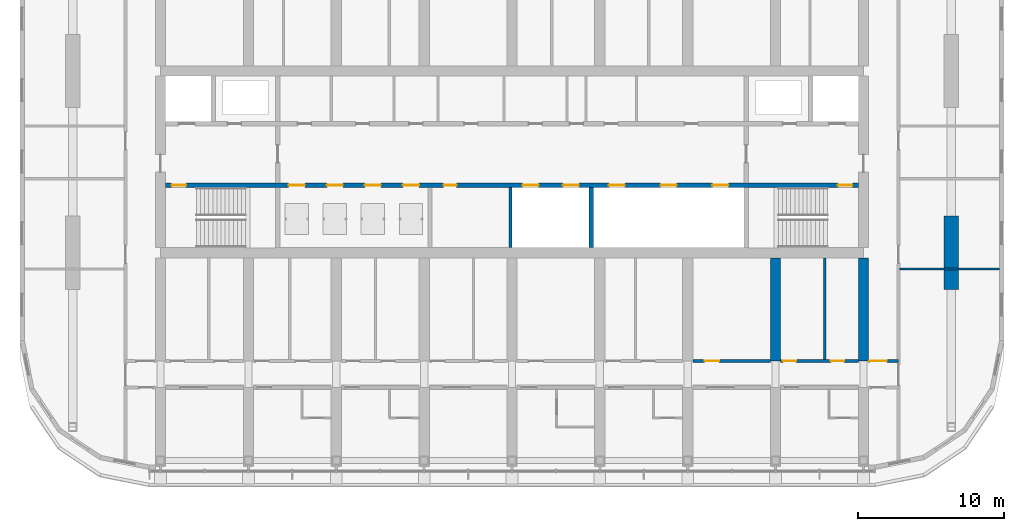
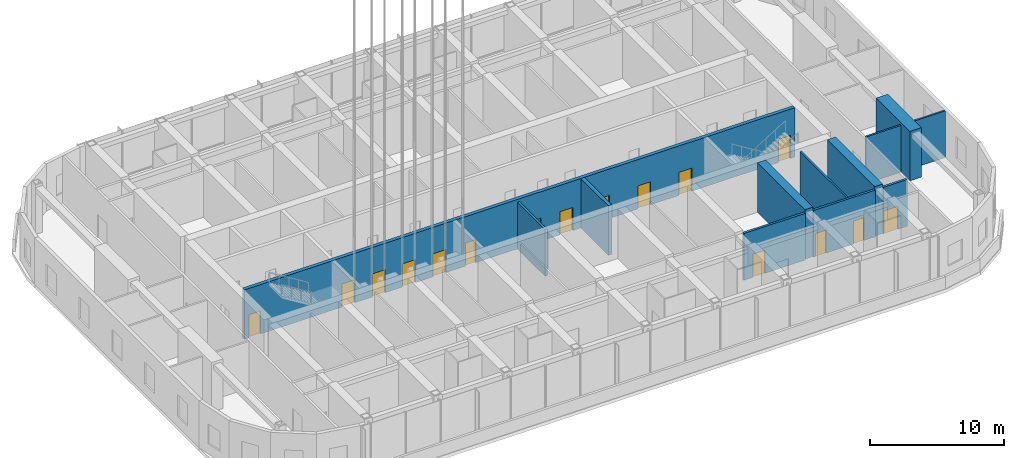
# One storey, part 17 of 35: 16 doors, 11 walls, 16 openings.
"""IFC4 building model written with IfcOpenShell, lengths in metres."""

from ifc_helpers import new_model, si_unit, direction, frame, frame_2d, origin, place, context, subcontext, project, spatial, rectangle, extrude, material, layer, layer_set, type_object, element, fill, save


model = new_model("IFC4")

# Units and contexts
model_context = context("Model", 3, precision=1e-05, world=origin(), true_north=direction((0.0, 1.0)))
body_context = subcontext(model_context, "Body", "Model", "MODEL_VIEW")
ifc_project = project(units=[si_unit("LENGTHUNIT", "METRE"), si_unit("AREAUNIT", "SQUARE_METRE"), si_unit("VOLUMEUNIT", "CUBIC_METRE"), si_unit("PLANEANGLEUNIT", "RADIAN"), si_unit("MASSUNIT", "GRAM", prefix="KILO")], contexts=[model_context])

# Site, building, storey
site_placement = place(None, origin())
site = spatial("IfcSite", under=ifc_project, at=site_placement, CompositionType="ELEMENT")
building_placement = place(site_placement, origin())
building = spatial("IfcBuilding", under=site, at=building_placement, Name="Orbita Commons", CompositionType="ELEMENT")
storey_placement = place(building_placement, frame((0.0, 0.0, 208.300048828125)))
storey = spatial("IfcBuildingStorey", under=building, at=storey_placement, Name="L51", CompositionType="ELEMENT", Elevation=208.300048828125)

# Wall, openings, doors
ifc_material_1 = material(Name="Concrete C50/60", Category="concrete")
ifc_layer_1 = layer(ifc_material_1, 0.300048828125)
ifc_layer_set_1 = layer_set([ifc_layer_1], Name="Concrete C50/60")
wall_type_1 = type_object("IfcWallType", Name="Core inner wall 300 C50/60", PredefinedType="SHEAR", material=ifc_layer_set_1)
wall_1_placement = place(storey_placement, frame((18.35009765625, 30.39990234375, 0.0), z_axis=(0.0, 0.0, 1.0), x_axis=(1.0, 0.0, 0.0)))
wall_1 = element("IfcWall", 1, at=wall_1_placement, inside=storey, type_object=wall_type_1, Name="Lobby wall south L51", PredefinedType="SHEAR", context=body_context, shape_type="SweptSolid", body=[
    extrude(rectangle(XDim=47.2998046875, YDim=0.300048828125, at=frame_2d((23.64990234375, 0.0))), origin(), (0.0, 0.0, 1.0), 4.5),
])
opening_1_placement = place(wall_1_placement, frame((0.39990234375, 0.0, 0.0)))
opening_1 = element("IfcOpeningElement", 2, at=opening_1_placement, cuts=wall_1, Name="Opening D02", PredefinedType="OPENING", context=body_context, shape_type="SweptSolid", body=[
    extrude(rectangle(XDim=1.0, YDim=2.10009765625, at=frame_2d((0.5, 1.050048828125))), frame((0.0, 0.159912109375, 0.0), z_axis=(0.0, -1.0, 0.0), x_axis=(1.0, 0.0, 0.0)), (0.0, 0.0, 1.0), 0.320068359375),
])
opening_2_placement = place(wall_1_placement, frame((45.89990234375, 0.0, 0.0)))
opening_2 = element("IfcOpeningElement", 3, at=opening_2_placement, cuts=wall_1, Name="Opening D02", PredefinedType="OPENING", context=body_context, shape_type="SweptSolid", body=[
    extrude(rectangle(XDim=1.0, YDim=2.10009765625, at=frame_2d((0.5, 1.050048828125))), frame((0.0, 0.159912109375, 0.0), z_axis=(0.0, -1.0, 0.0), x_axis=(1.0, 0.0, 0.0)), (0.0, 0.0, 1.0), 0.320068359375),
])
opening_3_placement = place(wall_1_placement, frame((8.39990234375, 0.0, 0.0)))
opening_3 = element("IfcOpeningElement", 4, at=opening_3_placement, cuts=wall_1, Name="Opening LD02", PredefinedType="OPENING", context=body_context, shape_type="SweptSolid", body=[
    extrude(rectangle(XDim=1.10009765625, YDim=2.10009765625, at=frame_2d((0.550048828125, 1.050048828125))), frame((0.0, 0.159912109375, 0.0), z_axis=(0.0, -1.0, 0.0), x_axis=(1.0, 0.0, 0.0)), (0.0, 0.0, 1.0), 0.320068359375),
])
opening_4_placement = place(wall_1_placement, frame((11.0, 0.0, 0.0)))
opening_4 = element("IfcOpeningElement", 5, at=opening_4_placement, cuts=wall_1, Name="Opening LD02", PredefinedType="OPENING", context=body_context, shape_type="SweptSolid", body=[
    extrude(rectangle(XDim=1.10009765625, YDim=2.10009765625, at=frame_2d((0.550048828125, 1.050048828125))), frame((0.0, 0.159912109375, 0.0), z_axis=(0.0, -1.0, 0.0), x_axis=(1.0, 0.0, 0.0)), (0.0, 0.0, 1.0), 0.320068359375),
])
opening_5_placement = place(wall_1_placement, frame((13.60009765625, 0.0, 0.0)))
opening_5 = element("IfcOpeningElement", 6, at=opening_5_placement, cuts=wall_1, Name="Opening LD02", PredefinedType="OPENING", context=body_context, shape_type="SweptSolid", body=[
    extrude(rectangle(XDim=1.10009765625, YDim=2.10009765625, at=frame_2d((0.550048828125, 1.050048828125))), frame((0.0, 0.159912109375, 0.0), z_axis=(0.0, -1.0, 0.0), x_axis=(1.0, 0.0, 0.0)), (0.0, 0.0, 1.0), 0.320068359375),
])
opening_6_placement = place(wall_1_placement, frame((16.199951171875, 0.0, 0.0)))
opening_6 = element("IfcOpeningElement", 7, at=opening_6_placement, cuts=wall_1, Name="Opening LD02", PredefinedType="OPENING", context=body_context, shape_type="SweptSolid", body=[
    extrude(rectangle(XDim=1.10009765625, YDim=2.10009765625, at=frame_2d((0.550048828125, 1.050048828125))), frame((0.0, 0.159912109375, 0.0), z_axis=(0.0, -1.0, 0.0), x_axis=(1.0, 0.0, 0.0)), (0.0, 0.0, 1.0), 0.320068359375),
])
opening_7_placement = place(wall_1_placement, frame((18.97509765625, 0.0, 0.0)))
opening_7 = element("IfcOpeningElement", 8, at=opening_7_placement, cuts=wall_1, Name="Opening D05", PredefinedType="OPENING", context=body_context, shape_type="SweptSolid", body=[
    extrude(rectangle(XDim=0.89990234375, YDim=2.10009765625, at=frame_2d((0.449951171875, 1.050048828125))), frame((0.0, 0.159912109375, 0.0), z_axis=(0.0, -1.0, 0.0), x_axis=(1.0, 0.0, 0.0)), (0.0, 0.0, 1.0), 0.320068359375),
])
opening_8_placement = place(wall_1_placement, frame((24.375, 0.0, 0.0)))
opening_8 = element("IfcOpeningElement", 9, at=opening_8_placement, cuts=wall_1, Name="Opening LD02", PredefinedType="OPENING", context=body_context, shape_type="SweptSolid", body=[
    extrude(rectangle(XDim=1.10009765625, YDim=2.10009765625, at=frame_2d((0.550048828125, 1.050048828125))), frame((0.0, 0.159912109375, 0.0), z_axis=(0.0, -1.0, 0.0), x_axis=(1.0, 0.0, 0.0)), (0.0, 0.0, 1.0), 0.320068359375),
])
opening_9_placement = place(wall_1_placement, frame((27.125, 0.0, 0.0)))
opening_9 = element("IfcOpeningElement", 10, at=opening_9_placement, cuts=wall_1, Name="Opening LD02", PredefinedType="OPENING", context=body_context, shape_type="SweptSolid", body=[
    extrude(rectangle(XDim=1.10009765625, YDim=2.10009765625, at=frame_2d((0.550048828125, 1.050048828125))), frame((0.0, 0.159912109375, 0.0), z_axis=(0.0, -1.0, 0.0), x_axis=(1.0, 0.0, 0.0)), (0.0, 0.0, 1.0), 0.320068359375),
])
opening_10_placement = place(wall_1_placement, frame((30.2666015625, 0.0, 0.0)))
opening_10 = element("IfcOpeningElement", 11, at=opening_10_placement, cuts=wall_1, Name="Opening LD02", PredefinedType="OPENING", context=body_context, shape_type="SweptSolid", body=[
    extrude(rectangle(XDim=1.10009765625, YDim=2.10009765625, at=frame_2d((0.550048828125, 1.050048828125))), frame((0.0, 0.159912109375, 0.0), z_axis=(0.0, -1.0, 0.0), x_axis=(1.0, 0.0, 0.0)), (0.0, 0.0, 1.0), 0.320068359375),
])
opening_11_placement = place(wall_1_placement, frame((33.800048828125, 0.0, 0.0)))
opening_11 = element("IfcOpeningElement", 12, at=opening_11_placement, cuts=wall_1, Name="Opening LD02", PredefinedType="OPENING", context=body_context, shape_type="SweptSolid", body=[
    extrude(rectangle(XDim=1.10009765625, YDim=2.10009765625, at=frame_2d((0.550048828125, 1.050048828125))), frame((0.0, 0.159912109375, 0.0), z_axis=(0.0, -1.0, 0.0), x_axis=(1.0, 0.0, 0.0)), (0.0, 0.0, 1.0), 0.320068359375),
])
opening_12_placement = place(wall_1_placement, frame((37.333251953125, 0.0, 0.0)))
opening_12 = element("IfcOpeningElement", 13, at=opening_12_placement, cuts=wall_1, Name="Opening LD02", PredefinedType="OPENING", context=body_context, shape_type="SweptSolid", body=[
    extrude(rectangle(XDim=1.10009765625, YDim=2.10009765625, at=frame_2d((0.550048828125, 1.050048828125))), frame((0.0, 0.159912109375, 0.0), z_axis=(0.0, -1.0, 0.0), x_axis=(1.0, 0.0, 0.0)), (0.0, 0.0, 1.0), 0.320068359375),
])
ifc_material_2 = material(Name="Steel-faced fire door leaf", Category="steel")
door_type_1 = type_object("IfcDoorType", Name="Fire door 90 min 1000x2100", OperationType="SINGLE_SWING_LEFT", PredefinedType="DOOR", material=ifc_material_2)
door_1_placement = place(opening_1_placement, origin())
door_1 = element("IfcDoor", 14, at=door_1_placement, inside=storey, type_object=door_type_1, Name="Stair S1 door", OperationType="SINGLE_SWING_LEFT", OverallHeight=2.10009765625, OverallWidth=1.0, PredefinedType="DOOR", context=body_context, shape_type="SweptSolid", body=[
    extrude(rectangle(XDim=1.0, YDim=2.10009765625, at=frame_2d((0.5, 1.050048828125))), frame((0.0, 0.02490234375, 0.0), z_axis=(0.0, -1.0, 0.0), x_axis=(1.0, 0.0, 0.0)), (0.0, 0.0, 1.0), 0.050048828125),
])
fill(opening_1, door_1)
door_2_placement = place(opening_2_placement, origin())
door_2 = element("IfcDoor", 15, at=door_2_placement, inside=storey, type_object=door_type_1, Name="Stair S2 door", OperationType="SINGLE_SWING_LEFT", OverallHeight=2.10009765625, OverallWidth=1.0, PredefinedType="DOOR", context=body_context, shape_type="SweptSolid", body=[
    extrude(rectangle(XDim=1.0, YDim=2.10009765625, at=frame_2d((0.5, 1.050048828125))), frame((0.0, 0.02490234375, 0.0), z_axis=(0.0, -1.0, 0.0), x_axis=(1.0, 0.0, 0.0)), (0.0, 0.0, 1.0), 0.050048828125),
])
fill(opening_2, door_2)
ifc_material_3 = material(Name="Steel-faced fire door leaf", Category="steel")
door_type_2 = type_object("IfcDoorType", Name="Lift landing door 1100x2100", OperationType="DOUBLE_DOOR_SLIDING", PredefinedType="DOOR", material=ifc_material_3)
door_3_placement = place(opening_3_placement, origin())
door_3 = element("IfcDoor", 16, at=door_3_placement, inside=storey, type_object=door_type_2, Name="Lift P41 landing door", OperationType="DOUBLE_DOOR_SLIDING", OverallHeight=2.10009765625, OverallWidth=1.10009765625, PredefinedType="DOOR", context=body_context, shape_type="SweptSolid", body=[
    extrude(rectangle(XDim=1.10009765625, YDim=2.10009765625, at=frame_2d((0.550048828125, 1.050048828125))), frame((0.0, 0.02490234375, 0.0), z_axis=(0.0, -1.0, 0.0), x_axis=(1.0, 0.0, 0.0)), (0.0, 0.0, 1.0), 0.050048828125),
])
fill(opening_3, door_3)
door_4_placement = place(opening_4_placement, origin())
door_4 = element("IfcDoor", 17, at=door_4_placement, inside=storey, type_object=door_type_2, Name="Lift P42 landing door", OperationType="DOUBLE_DOOR_SLIDING", OverallHeight=2.10009765625, OverallWidth=1.10009765625, PredefinedType="DOOR", context=body_context, shape_type="SweptSolid", body=[
    extrude(rectangle(XDim=1.10009765625, YDim=2.10009765625, at=frame_2d((0.550048828125, 1.050048828125))), frame((0.0, 0.02490234375, 0.0), z_axis=(0.0, -1.0, 0.0), x_axis=(1.0, 0.0, 0.0)), (0.0, 0.0, 1.0), 0.050048828125),
])
fill(opening_4, door_4)
door_5_placement = place(opening_5_placement, origin())
door_5 = element("IfcDoor", 18, at=door_5_placement, inside=storey, type_object=door_type_2, Name="Lift P43 landing door", OperationType="DOUBLE_DOOR_SLIDING", OverallHeight=2.10009765625, OverallWidth=1.10009765625, PredefinedType="DOOR", context=body_context, shape_type="SweptSolid", body=[
    extrude(rectangle(XDim=1.10009765625, YDim=2.10009765625, at=frame_2d((0.550048828125, 1.050048828125))), frame((0.0, 0.02490234375, 0.0), z_axis=(0.0, -1.0, 0.0), x_axis=(1.0, 0.0, 0.0)), (0.0, 0.0, 1.0), 0.050048828125),
])
fill(opening_5, door_5)
door_6_placement = place(opening_6_placement, origin())
door_6 = element("IfcDoor", 19, at=door_6_placement, inside=storey, type_object=door_type_2, Name="Lift P44 landing door", OperationType="DOUBLE_DOOR_SLIDING", OverallHeight=2.10009765625, OverallWidth=1.10009765625, PredefinedType="DOOR", context=body_context, shape_type="SweptSolid", body=[
    extrude(rectangle(XDim=1.10009765625, YDim=2.10009765625, at=frame_2d((0.550048828125, 1.050048828125))), frame((0.0, 0.02490234375, 0.0), z_axis=(0.0, -1.0, 0.0), x_axis=(1.0, 0.0, 0.0)), (0.0, 0.0, 1.0), 0.050048828125),
])
fill(opening_6, door_6)
door_7_placement = place(opening_8_placement, origin())
door_7 = element("IfcDoor", 20, at=door_7_placement, inside=storey, type_object=door_type_2, Name="Lift SH31 landing door", OperationType="DOUBLE_DOOR_SLIDING", OverallHeight=2.10009765625, OverallWidth=1.10009765625, PredefinedType="DOOR", context=body_context, shape_type="SweptSolid", body=[
    extrude(rectangle(XDim=1.10009765625, YDim=2.10009765625, at=frame_2d((0.550048828125, 1.050048828125))), frame((0.0, 0.02490234375, 0.0), z_axis=(0.0, -1.0, 0.0), x_axis=(1.0, 0.0, 0.0)), (0.0, 0.0, 1.0), 0.050048828125),
])
fill(opening_8, door_7)
door_8_placement = place(opening_9_placement, origin())
door_8 = element("IfcDoor", 21, at=door_8_placement, inside=storey, type_object=door_type_2, Name="Lift SH32 landing door", OperationType="DOUBLE_DOOR_SLIDING", OverallHeight=2.10009765625, OverallWidth=1.10009765625, PredefinedType="DOOR", context=body_context, shape_type="SweptSolid", body=[
    extrude(rectangle(XDim=1.10009765625, YDim=2.10009765625, at=frame_2d((0.550048828125, 1.050048828125))), frame((0.0, 0.02490234375, 0.0), z_axis=(0.0, -1.0, 0.0), x_axis=(1.0, 0.0, 0.0)), (0.0, 0.0, 1.0), 0.050048828125),
])
fill(opening_9, door_8)
door_9_placement = place(opening_10_placement, origin())
door_9 = element("IfcDoor", 22, at=door_9_placement, inside=storey, type_object=door_type_2, Name="Lift SV1 landing door", OperationType="DOUBLE_DOOR_SLIDING", OverallHeight=2.10009765625, OverallWidth=1.10009765625, PredefinedType="DOOR", context=body_context, shape_type="SweptSolid", body=[
    extrude(rectangle(XDim=1.10009765625, YDim=2.10009765625, at=frame_2d((0.550048828125, 1.050048828125))), frame((0.0, 0.02490234375, 0.0), z_axis=(0.0, -1.0, 0.0), x_axis=(1.0, 0.0, 0.0)), (0.0, 0.0, 1.0), 0.050048828125),
])
fill(opening_10, door_9)
door_10_placement = place(opening_11_placement, origin())
door_10 = element("IfcDoor", 23, at=door_10_placement, inside=storey, type_object=door_type_2, Name="Lift SV2 landing door", OperationType="DOUBLE_DOOR_SLIDING", OverallHeight=2.10009765625, OverallWidth=1.10009765625, PredefinedType="DOOR", context=body_context, shape_type="SweptSolid", body=[
    extrude(rectangle(XDim=1.10009765625, YDim=2.10009765625, at=frame_2d((0.550048828125, 1.050048828125))), frame((0.0, 0.02490234375, 0.0), z_axis=(0.0, -1.0, 0.0), x_axis=(1.0, 0.0, 0.0)), (0.0, 0.0, 1.0), 0.050048828125),
])
fill(opening_11, door_10)
door_11_placement = place(opening_12_placement, origin())
door_11 = element("IfcDoor", 24, at=door_11_placement, inside=storey, type_object=door_type_2, Name="Lift SV3 landing door", OperationType="DOUBLE_DOOR_SLIDING", OverallHeight=2.10009765625, OverallWidth=1.10009765625, PredefinedType="DOOR", context=body_context, shape_type="SweptSolid", body=[
    extrude(rectangle(XDim=1.10009765625, YDim=2.10009765625, at=frame_2d((0.550048828125, 1.050048828125))), frame((0.0, 0.02490234375, 0.0), z_axis=(0.0, -1.0, 0.0), x_axis=(1.0, 0.0, 0.0)), (0.0, 0.0, 1.0), 0.050048828125),
])
fill(opening_12, door_11)
ifc_material_4 = material(Name="Steel-faced fire door leaf", Category="steel")
door_type_3 = type_object("IfcDoorType", Name="Service door 20 min 900x2100", OperationType="SINGLE_SWING_LEFT", PredefinedType="DOOR", material=ifc_material_4)
door_12_placement = place(opening_7_placement, origin())
door_12 = element("IfcDoor", 25, at=door_12_placement, inside=storey, type_object=door_type_3, Name="IT room door", OperationType="SINGLE_SWING_LEFT", OverallHeight=2.10009765625, OverallWidth=0.89990234375, PredefinedType="DOOR", context=body_context, shape_type="SweptSolid", body=[
    extrude(rectangle(XDim=0.89990234375, YDim=2.10009765625, at=frame_2d((0.449951171875, 1.050048828125))), frame((0.0, 0.02490234375, 0.0), z_axis=(0.0, -1.0, 0.0), x_axis=(1.0, 0.0, 0.0)), (0.0, 0.0, 1.0), 0.050048828125),
])
fill(opening_7, door_12)

# Wall
wall_2_placement = place(storey_placement, frame((47.39990234375, 26.14990234375, 0.0), z_axis=(0.0, 0.0, 1.0), x_axis=(0.0, 1.0, 0.0)))
element("IfcWall", 26, at=wall_2_placement, inside=storey, type_object=wall_type_1, Name="Hoistway division wall L51", PredefinedType="SHEAR", context=body_context, shape_type="SweptSolid", body=[
    extrude(rectangle(XDim=4.10009765625, YDim=0.300048828125, at=frame_2d((2.050048828125, 0.0))), origin(), (0.0, 0.0, 1.0), 4.5),
])

# Wall, opening, door
ifc_material_5 = material(Name="Hollow concrete block 200", Category="concrete")
ifc_layer_2 = layer(ifc_material_5, 0.199951171875)
ifc_layer_set_2 = layer_set([ifc_layer_2], Name="Hollow concrete block 200")
wall_type_2 = type_object("IfcWallType", Name="Corridor wall 200 hollow concrete block", PredefinedType="SOLIDWALL", material=ifc_layer_set_2)
wall_3_placement = place(storey_placement, frame((54.35009765625, 18.39990234375, 0.0), z_axis=(0.0, 0.0, 1.0), x_axis=(1.0, 0.0, 0.0)))
wall_3 = element("IfcWall", 27, at=wall_3_placement, inside=storey, type_object=wall_type_2, Name="Corridor wall 200 hollow concrete block L51", PredefinedType="SOLIDWALL", context=body_context, shape_type="SweptSolid", body=[
    extrude(rectangle(XDim=5.2998046875, YDim=0.199951171875, at=frame_2d((2.64990234375, 0.0))), origin(), (0.0, 0.0, 1.0), 4.25),
])
opening_13_placement = place(wall_3_placement, frame((0.800048828125, 0.0, 0.0)))
opening_13 = element("IfcOpeningElement", 28, at=opening_13_placement, cuts=wall_3, Name="Opening D06", PredefinedType="OPENING", context=body_context, shape_type="SweptSolid", body=[
    extrude(rectangle(XDim=1.0, YDim=2.10009765625, at=frame_2d((0.5, 1.050048828125))), frame((0.0, 0.10986328125, 0.0), z_axis=(0.0, -1.0, 0.0), x_axis=(1.0, 0.0, 0.0)), (0.0, 0.0, 1.0), 0.219970703125),
])
ifc_material_6 = material(Name="Steel-faced fire door leaf", Category="steel")
door_type_4 = type_object("IfcDoorType", Name="Corridor door 20 min 1000x2100", OperationType="SINGLE_SWING_LEFT", PredefinedType="DOOR", material=ifc_material_6)
door_13_placement = place(opening_13_placement, origin())
door_13 = element("IfcDoor", 29, at=door_13_placement, inside=storey, type_object=door_type_4, Name="Faculty pantry L51-BDS54 door", OperationType="SINGLE_SWING_LEFT", OverallHeight=2.10009765625, OverallWidth=1.0, PredefinedType="DOOR", context=body_context, shape_type="SweptSolid", body=[
    extrude(rectangle(XDim=1.0, YDim=2.10009765625, at=frame_2d((0.5, 1.050048828125))), frame((0.0, 0.02490234375, 0.0), z_axis=(0.0, -1.0, 0.0), x_axis=(1.0, 0.0, 0.0)), (0.0, 0.0, 1.0), 0.050048828125),
])
fill(opening_13, door_13)

# Wall, openings, doors
wall_4_placement = place(storey_placement, frame((60.35009765625, 18.39990234375, 0.0), z_axis=(0.0, 0.0, 1.0), x_axis=(1.0, 0.0, 0.0)))
wall_4 = element("IfcWall", 30, at=wall_4_placement, inside=storey, type_object=wall_type_2, Name="Corridor wall 200 hollow concrete block L51", PredefinedType="SOLIDWALL", context=body_context, shape_type="SweptSolid", body=[
    extrude(rectangle(XDim=5.2998046875, YDim=0.199951171875, at=frame_2d((2.64990234375, 0.0))), origin(), (0.0, 0.0, 1.0), 4.25),
])
opening_14_placement = place(wall_4_placement, frame((0.14990234375, 0.0, 0.0)))
opening_14 = element("IfcOpeningElement", 31, at=opening_14_placement, cuts=wall_4, Name="Opening D11", PredefinedType="OPENING", context=body_context, shape_type="SweptSolid", body=[
    extrude(rectangle(XDim=0.89990234375, YDim=2.10009765625, at=frame_2d((0.449951171875, 1.050048828125))), frame((0.0, 0.10986328125, 0.0), z_axis=(0.0, -1.0, 0.0), x_axis=(1.0, 0.0, 0.0)), (0.0, 0.0, 1.0), 0.219970703125),
])
opening_15_placement = place(wall_4_placement, frame((3.43505859375, 0.0, 0.0)))
opening_15 = element("IfcOpeningElement", 32, at=opening_15_placement, cuts=wall_4, Name="Opening D11", PredefinedType="OPENING", context=body_context, shape_type="SweptSolid", body=[
    extrude(rectangle(XDim=0.89990234375, YDim=2.10009765625, at=frame_2d((0.449951171875, 1.050048828125))), frame((0.0, 0.10986328125, 0.0), z_axis=(0.0, -1.0, 0.0), x_axis=(1.0, 0.0, 0.0)), (0.0, 0.0, 1.0), 0.219970703125),
])
ifc_material_7 = material(Name="Steel-faced fire door leaf", Category="steel")
door_type_5 = type_object("IfcDoorType", Name="Corridor door 20 min 900x2100", OperationType="SINGLE_SWING_LEFT", PredefinedType="DOOR", material=ifc_material_7)
door_14_placement = place(opening_14_placement, origin())
door_14 = element("IfcDoor", 33, at=door_14_placement, inside=storey, type_object=door_type_5, Name="Print room L51-BDS60 door", OperationType="SINGLE_SWING_LEFT", OverallHeight=2.10009765625, OverallWidth=0.89990234375, PredefinedType="DOOR", context=body_context, shape_type="SweptSolid", body=[
    extrude(rectangle(XDim=0.89990234375, YDim=2.10009765625, at=frame_2d((0.449951171875, 1.050048828125))), frame((0.0, 0.02490234375, 0.0), z_axis=(0.0, -1.0, 0.0), x_axis=(1.0, 0.0, 0.0)), (0.0, 0.0, 1.0), 0.050048828125),
])
fill(opening_14, door_14)
door_15_placement = place(opening_15_placement, origin())
door_15 = element("IfcDoor", 34, at=door_15_placement, inside=storey, type_object=door_type_5, Name="Battery and UPS room L51-BDS60n door", OperationType="SINGLE_SWING_LEFT", OverallHeight=2.10009765625, OverallWidth=0.89990234375, PredefinedType="DOOR", context=body_context, shape_type="SweptSolid", body=[
    extrude(rectangle(XDim=0.89990234375, YDim=2.10009765625, at=frame_2d((0.449951171875, 1.050048828125))), frame((0.0, 0.02490234375, 0.0), z_axis=(0.0, -1.0, 0.0), x_axis=(1.0, 0.0, 0.0)), (0.0, 0.0, 1.0), 0.050048828125),
])
fill(opening_15, door_15)

# Wall, opening, door
wall_5_placement = place(storey_placement, frame((66.35009765625, 18.39990234375, 0.0), z_axis=(0.0, 0.0, 1.0), x_axis=(1.0, 0.0, 0.0)))
wall_5 = element("IfcWall", 35, at=wall_5_placement, inside=storey, type_object=wall_type_2, Name="Corridor wall 200 hollow concrete block L51", PredefinedType="SOLIDWALL", context=body_context, shape_type="SweptSolid", body=[
    extrude(rectangle(XDim=2.0498046875, YDim=0.199951171875, at=frame_2d((1.02490234375, 0.0))), origin(), (0.0, 0.0, 1.0), 4.25),
])
opening_16_placement = place(wall_5_placement, frame((0.050048828125, 0.0, 0.0)))
opening_16 = element("IfcOpeningElement", 36, at=opening_16_placement, cuts=wall_5, Name="Opening D12", PredefinedType="OPENING", context=body_context, shape_type="SweptSolid", body=[
    extrude(rectangle(XDim=1.199951171875, YDim=2.10009765625, at=frame_2d((0.60009765625, 1.050048828125))), frame((0.0, 0.10986328125, 0.0), z_axis=(0.0, -1.0, 0.0), x_axis=(1.0, 0.0, 0.0)), (0.0, 0.0, 1.0), 0.219970703125),
])
ifc_material_8 = material(Name="Steel-faced fire door leaf", Category="steel")
door_type_6 = type_object("IfcDoorType", Name="Double corridor door 20 min 1200x2100", OperationType="DOUBLE_DOOR_SINGLE_SWING", PredefinedType="DOOR", material=ifc_material_8)
door_16_placement = place(opening_16_placement, origin())
door_16 = element("IfcDoor", 37, at=door_16_placement, inside=storey, type_object=door_type_6, Name="Cross corridor doors", OperationType="DOUBLE_DOOR_SINGLE_SWING", OverallHeight=2.10009765625, OverallWidth=1.199951171875, PredefinedType="DOOR", context=body_context, shape_type="SweptSolid", body=[
    extrude(rectangle(XDim=1.199951171875, YDim=2.10009765625, at=frame_2d((0.60009765625, 1.050048828125))), frame((0.0, 0.02490234375, 0.0), z_axis=(0.0, -1.0, 0.0), x_axis=(1.0, 0.0, 0.0)), (0.0, 0.0, 1.0), 0.050048828125),
])
fill(opening_16, door_16)

# Walls
ifc_material_9 = material(Name="Concrete C50/60", Category="concrete")
ifc_layer_3 = layer(ifc_material_9, 0.699951171875)
ifc_layer_set_3 = layer_set([ifc_layer_3], Name="Concrete C50/60")
wall_type_3 = type_object("IfcWallType", Name="Cross wall 700 C50/60", PredefinedType="SHEAR", material=ifc_layer_set_3)
for number, where, z_axis, x_axis, name in (
    (38, (60.0, 18.39990234375, 0.0), (0.0, 0.0, 1.0), (0.0, 1.0, 0.0), "Cross wall 11 south inner L51"),
    (39, (66.0, 18.39990234375, 0.0), (0.0, 0.0, 1.0), (0.0, 1.0, 0.0), "Cross wall 12 south inner L51"),
):
    element("IfcWall", number, at=place(storey_placement, frame(where, z_axis=z_axis, x_axis=x_axis)), inside=storey, type_object=wall_type_3, Name=name, PredefinedType="SHEAR", context=body_context, shape_type="SweptSolid", body=[
        extrude(rectangle(XDim=7.050048828125, YDim=0.699951171875, at=frame_2d((3.52490234375, 0.0))), origin(), (0.0, 0.0, 1.0), 4.5),
    ])
ifc_material_10 = material(Name="Concrete C50/60", Category="concrete")
ifc_layer_4 = layer(ifc_material_10, 1.0)
ifc_layer_set_4 = layer_set([ifc_layer_4], Name="Concrete C50/60")
wall_type_4 = type_object("IfcWallType", Name="End pier 1000x5000 C50/60", PredefinedType="SHEAR", material=ifc_layer_set_4)
wall_6_placement = place(storey_placement, frame((72.0, 23.300048828125, 0.0), z_axis=(0.0, 0.0, 1.0), x_axis=(0.0, 1.0, 0.0)))
element("IfcWall", 40, at=wall_6_placement, inside=storey, type_object=wall_type_4, Name="End pier 13/C L51", PredefinedType="SHEAR", context=body_context, shape_type="SweptSolid", body=[
    extrude(rectangle(XDim=5.0, YDim=1.0, at=frame_2d((2.5, 0.0))), origin(), (0.0, 0.0, 1.0), 4.5),
])
ifc_material_11 = material(Name="Gypsum plasterboard on steel studs", Category="steel")
ifc_layer_5 = layer(ifc_material_11, 0.14990234375)
ifc_layer_set_5 = layer_set([ifc_layer_5], Name="Gypsum plasterboard on steel studs")
wall_type_5 = type_object("IfcWallType", Name="Partition 150 plasterboard", PredefinedType="PARTITIONING", material=ifc_layer_set_5)
wall_7_placement = place(storey_placement, frame((63.360107421875, 18.5, 0.0), z_axis=(0.0, 0.0, 1.0), x_axis=(0.0, 1.0, 0.0)))
element("IfcWall", 41, at=wall_7_placement, inside=storey, type_object=wall_type_5, Name="Partition 150 plasterboard L51", PredefinedType="PARTITIONING", context=body_context, shape_type="SweptSolid", body=[
    extrude(rectangle(XDim=6.949951171875, YDim=0.14990234375, at=frame_2d((3.47509765625, 0.0))), origin(), (0.0, 0.0, 1.0), 4.25),
])
wall_8_placement = place(storey_placement, frame((68.47509765625, 24.679931640625, 0.0), z_axis=(0.0, 0.0, 1.0), x_axis=(1.0, 0.0, 0.0)))
element("IfcWall", 42, at=wall_8_placement, inside=storey, type_object=wall_type_5, Name="Partition 150 plasterboard L51", PredefinedType="PARTITIONING", context=body_context, shape_type="SweptSolid", body=[
    extrude(rectangle(XDim=6.81982421875, YDim=0.14990234375, at=frame_2d((3.409912109375, 0.0))), origin(), (0.0, 0.0, 1.0), 4.25),
])
ifc_material_12 = material(Name="Concrete blockwork, fully filled", Category="masonry")
ifc_layer_6 = layer(ifc_material_12, 0.199951171875)
ifc_layer_set_6 = layer_set([ifc_layer_6], Name="Concrete blockwork, fully filled")
wall_type_6 = type_object("IfcWallType", Name="Shaft partition 200 blockwork", PredefinedType="SOLIDWALL", material=ifc_layer_set_6)
wall_9_placement = place(storey_placement, frame((41.89990234375, 26.14990234375, 0.0), z_axis=(0.0, 0.0, 1.0), x_axis=(0.0, 1.0, 0.0)))
element("IfcWall", 43, at=wall_9_placement, inside=storey, type_object=wall_type_6, Name="Shaft partition 200 blockwork L51", PredefinedType="SOLIDWALL", context=body_context, shape_type="SweptSolid", body=[
    extrude(rectangle(XDim=4.10009765625, YDim=0.199951171875, at=frame_2d((2.050048828125, 0.0))), origin(), (0.0, 0.0, 1.0), 4.25),
])

save(model, "model.ifc")
